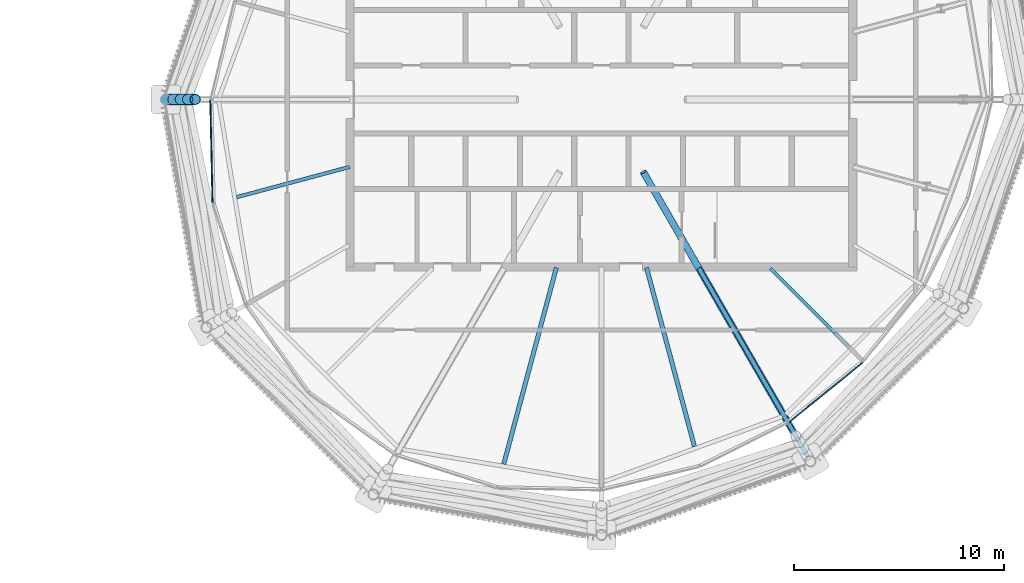
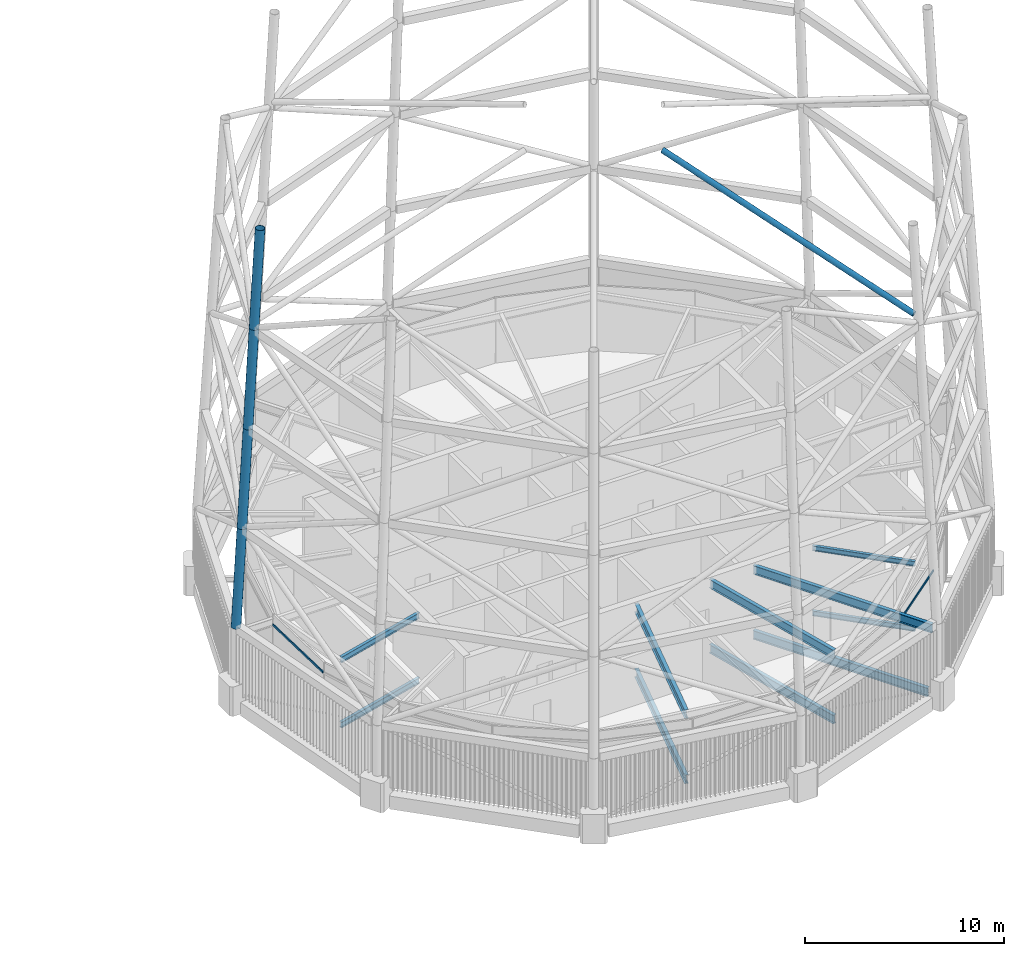
# One storey, part 44 of 71: 10 beams, 7 members, 1 element without a shape of its own.
"""IFC4 building model written with IfcOpenShell, lengths in metres."""

import ifcopenshell
import ifcopenshell.guid

model = None  # the IFC model being written
_history = None  # IfcOwnerHistory: only IFC2X3 demands one
_inside = {}  # id of a spatial element -> (the spatial element, [elements in it])
_under = {}  # id of a project, library or spatial element -> (it, [spatial elements below it])
_declared = {}  # id of a project -> (the project, [libraries it declares])
_typed = {}  # id of a type object -> (the type object, [elements of that type])
_made_of = {}  # id of a material, layer set ... -> (it, [elements and type objects made of it])


def new_model(schema):
    """Start an empty IFC model of exactly this schema.

    Asked for "IFC4X3", IfcOpenShell would pick the latest addendum, in which some entities
    have other attributes; the version numbers below select the first issue.
    IFC2X3 requires an IfcOwnerHistory on every rooted entity: one is made here for all.
    """
    global model, _history
    if schema == "IFC4X3":
        model = ifcopenshell.file(schema_version=(4, 3, 0, 0))
    else:
        model = ifcopenshell.file(schema=schema)
    _inside.clear()
    _under.clear()
    _declared.clear()
    _typed.clear()
    _made_of.clear()
    _history = None
    if model.schema == "IFC2X3":
        org = make("IfcOrganization", Name="unknown")
        user = make(
            "IfcPersonAndOrganization",
            ThePerson=make("IfcPerson", FamilyName="unknown"),
            TheOrganization=org,
        )
        app = make(
            "IfcApplication",
            ApplicationDeveloper=org,
            Version="unknown",
            ApplicationFullName="unknown",
            ApplicationIdentifier="unknown",
        )
        _history = make(
            "IfcOwnerHistory",
            OwningUser=user,
            OwningApplication=app,
            ChangeAction="ADDED",
            CreationDate=0,
        )
    return model


def make(cls, **values):
    """One entity of the class cls with the attributes given. An attribute that is None is left unset."""
    return model.create_entity(
        cls, **{name: value for name, value in values.items() if value is not None}
    )


def rooted(cls, **values):
    """An entity with a GlobalId (a new one), such as an element, a storey or a relation."""
    return make(cls, GlobalId=ifcopenshell.guid.new(), OwnerHistory=_history, **values)


def si_unit(unit_type, name, prefix=None):
    """IfcSIUnit, for example si_unit("LENGTHUNIT", "METRE", prefix="MILLI")."""
    return make("IfcSIUnit", UnitType=unit_type, Prefix=prefix, Name=name)


def assignment(units):
    """IfcUnitAssignment: the units of a project."""
    return None if units is None else make("IfcUnitAssignment", Units=units)


def point(xyz):
    """IfcCartesianPoint."""
    return None if xyz is None else make("IfcCartesianPoint", Coordinates=xyz)


def direction(xyz):
    """IfcDirection."""
    return None if xyz is None else make("IfcDirection", DirectionRatios=xyz)


def frame(location, z_axis=None, x_axis=None):
    """IfcAxis2Placement3D, a coordinate frame: its origin and axes. An axis left out is left unset."""
    return make(
        "IfcAxis2Placement3D",
        Location=point(location),
        Axis=direction(z_axis),
        RefDirection=direction(x_axis),
    )


def frame_2d(location, x_axis=None):
    """IfcAxis2Placement2D, a coordinate frame in the plane: its origin and x axis."""
    return make(
        "IfcAxis2Placement2D", Location=point(location), RefDirection=direction(x_axis)
    )


def origin():
    """The frame at (0, 0, 0) with its axes left unset."""
    return frame((0.0, 0.0, 0.0))


def origin_2d():
    """The frame at (0, 0) in the plane with its x axis left unset."""
    return frame_2d((0.0, 0.0))


def place(relative_to, where):
    """IfcLocalPlacement: puts the frame where relative to a parent placement (None: the world)."""
    return make(
        "IfcLocalPlacement", PlacementRelTo=relative_to, RelativePlacement=where
    )


def context(
    kind, dimensions, precision=None, world=None, true_north=None, identifier=None
):
    """IfcGeometricRepresentationContext, for example the 3D "Model" context."""
    return make(
        "IfcGeometricRepresentationContext",
        ContextIdentifier=identifier,
        ContextType=kind,
        CoordinateSpaceDimension=dimensions,
        Precision=precision,
        WorldCoordinateSystem=world,
        TrueNorth=true_north,
    )


def subcontext(parent, identifier, kind, view, scale=None):
    """IfcGeometricRepresentationSubContext, for example "Body" below "Model"."""
    return make(
        "IfcGeometricRepresentationSubContext",
        ContextIdentifier=identifier,
        ContextType=kind,
        ParentContext=parent,
        TargetScale=scale,
        TargetView=view,
    )


def project(units=None, contexts=None):
    """IfcProject with its units and contexts."""
    return rooted(
        "IfcProject",
        Name="project",
        RepresentationContexts=contexts,
        UnitsInContext=assignment(units),
    )


def spatial(cls, under=None, at=None, **own):
    """A site, building, storey or space (cls), placed at a placement, below another one or the project."""
    s = rooted(cls, ObjectPlacement=at, **own)
    if under is not None:
        _under.setdefault(under.id(), (under, []))[1].append(s)
    return s


def profile(cls, at=None, kind="AREA", **sizes):
    """A parametric profile (cls). Its sizes go by their IFC names, for example OverallWidth=200.0."""
    return make(cls, ProfileType=kind, Position=at, **sizes)


def rectangle(**sizes):
    """IfcRectangleProfileDef."""
    return profile("IfcRectangleProfileDef", **sizes)


def hollow_circle(**sizes):
    """IfcCircleHollowProfileDef."""
    return profile("IfcCircleHollowProfileDef", **sizes)


def i_section(**sizes):
    """IfcIShapeProfileDef."""
    return profile("IfcIShapeProfileDef", **sizes)


def extrude(swept, where, along, depth):
    """IfcExtrudedAreaSolid: the profile swept, set in the frame where, extruded along a direction by depth."""
    return make(
        "IfcExtrudedAreaSolid",
        SweptArea=swept,
        Position=where,
        ExtrudedDirection=direction(along),
        Depth=depth,
    )


def shape(context_of_items, identifier, shape_type, items):
    """IfcShapeRepresentation: the items that make up one representation, for example the "Body"."""
    return make(
        "IfcShapeRepresentation",
        ContextOfItems=context_of_items,
        RepresentationIdentifier=identifier,
        RepresentationType=shape_type,
        Items=items,
    )


def material(Name=None, Category=None):
    """IfcMaterial."""
    return make("IfcMaterial", Name=Name, Category=Category)


def material_profile(
    of_material, cross_section, Name=None, Category=None, Priority=None
):
    """IfcMaterialProfile: a cross section and its material."""
    return make(
        "IfcMaterialProfile",
        Name=Name,
        Material=of_material,
        Profile=cross_section,
        Priority=Priority,
        Category=Category,
    )


def profile_set(profiles, Name=None, composite=None):
    """IfcMaterialProfileSet."""
    return make(
        "IfcMaterialProfileSet",
        Name=Name,
        MaterialProfiles=profiles,
        CompositeProfile=composite,
    )


def made_of(thing, what):
    """Note that an element or type object is made of a material, layer set ...; save() writes the relation."""
    if what is not None:
        _made_of.setdefault(what.id(), (what, []))[1].append(thing)
    return thing


def type_object(cls, material=None, **own):
    """A type object (cls), such as IfcWallType, which elements share."""
    return made_of(rooted(cls, **own), material)


def element(
    cls,
    number,
    at=None,
    inside=None,
    cuts=None,
    type_object=None,
    material=None,
    context=None,
    identifier="Body",
    shape_type=None,
    held_by="IfcProductDefinitionShape",
    body=None,
    shapes=None,
    **own,
):
    """One element of the class cls, such as IfcWall. Its Tag is "e" and its number.

    at: its placement. inside: the storey or other place that contains it. cuts: it is an
    opening in that element (IfcRelVoidsElement). A single representation is given by context,
    identifier, shape_type and body (its items); several are given by shapes. held_by: the class
    of the entity that holds the representations. save() writes the other relations.
    """
    e = rooted(cls, Tag="e%d" % number, ObjectPlacement=at, **own)
    if body is not None:
        shapes = [shape(context, identifier, shape_type, body)]
    if shapes is not None:
        e.Representation = make(held_by, Representations=shapes)
    if inside is not None:
        _inside.setdefault(inside.id(), (inside, []))[1].append(e)
    if cuts is not None:
        rooted(
            "IfcRelVoidsElement", RelatingBuildingElement=cuts, RelatedOpeningElement=e
        )
    if type_object is not None:
        _typed.setdefault(type_object.id(), (type_object, []))[1].append(e)
    return made_of(e, material)


def aggregate(whole, parts):
    """IfcRelAggregates: a whole, such as a stair, and the parts it consists of."""
    return rooted("IfcRelAggregates", RelatingObject=whole, RelatedObjects=parts)


def save(model, path):
    """Write the relations noted so far, then the file.

    IfcRelAggregates (storeys below a building ...), IfcRelContainedInSpatialStructure (elements
    in a storey), IfcRelDefinesByType, IfcRelAssociatesMaterial and IfcRelDeclares: one each for
    every whole, place, type object, material and project.
    """
    for whole, parts in _under.values():
        aggregate(whole, parts)
    for where, things in _inside.values():
        rooted(
            "IfcRelContainedInSpatialStructure",
            RelatedElements=things,
            RelatingStructure=where,
        )
    for kind, things in _typed.values():
        rooted("IfcRelDefinesByType", RelatedObjects=things, RelatingType=kind)
    for what, things in _made_of.values():
        rooted("IfcRelAssociatesMaterial", RelatedObjects=things, RelatingMaterial=what)
    for by, libraries in _declared.values():
        rooted("IfcRelDeclares", RelatingContext=by, RelatedDefinitions=libraries)
    model.write(path)


model = new_model("IFC4")

# Units and contexts
model_context = context("Model", 3, precision=1e-05, world=origin(), true_north=direction((0.0, 1.0)))
body_context = subcontext(model_context, "Body", "Model", "MODEL_VIEW")
ifc_project = project(units=[si_unit("LENGTHUNIT", "METRE"), si_unit("AREAUNIT", "SQUARE_METRE"), si_unit("VOLUMEUNIT", "CUBIC_METRE"), si_unit("PLANEANGLEUNIT", "RADIAN"), si_unit("MASSUNIT", "GRAM", prefix="KILO")], contexts=[model_context])

# Site, building, storey
site_placement = place(None, origin())
site = spatial("IfcSite", under=ifc_project, at=site_placement, CompositionType="ELEMENT")
building_placement = place(site_placement, origin())
building = spatial("IfcBuilding", under=site, at=building_placement, Name="Rimbun Link Towers", CompositionType="ELEMENT")
storey_placement = place(building_placement, frame((0.0, 0.0, 267.60009765625)))
storey = spatial("IfcBuildingStorey", under=building, at=storey_placement, Name="L65", CompositionType="ELEMENT", Elevation=267.60009765625)

# Curtain wall, members
ifc_material_1 = material(Name="Aluminium 6063-T6 louvre wall", Category="aluminium")
curtain_wall_type = type_object("IfcCurtainWallType", Name="CW6 plant floor louvre wall", PredefinedType="NOTDEFINED", material=ifc_material_1)
curtain_wall_placement = place(storey_placement, origin())
curtain_wall = element("IfcCurtainWall", 1, at=curtain_wall_placement, inside=storey, type_object=curtain_wall_type, Name="CW6 L65 T2", PredefinedType="NOTDEFINED")
ifc_material_2 = material(Name="Aluminium 6063-T6", Category="aluminium")
ifc_material_profile_1 = material_profile(ifc_material_2, rectangle(XDim=0.06005859375, YDim=0.1201171875, at=origin_2d()), Name="TRANSOM 60X120")
ifc_profile_set_1 = profile_set([ifc_material_profile_1], Name="Aluminium 6063-T6")
member_type_1 = type_object("IfcMemberType", Name="CW6 transom 60X120", PredefinedType="USERDEFINED", material=ifc_profile_set_1)
member_1_placement = place(storey_placement, frame((13.18310546875, -4.912841796875, 3.39990234375), z_axis=(-0.021106908234, 0.999777224398, 0.0), x_axis=(-0.999777224398, -0.021106908234, 0.0)))
member_1 = element("IfcMember", 2, at=member_1_placement, type_object=member_type_1, Name="CW6 transom", ObjectType="TRANSOM", PredefinedType="USERDEFINED", context=body_context, shape_type="SweptSolid", body=[
    extrude(rectangle(XDim=0.06005859375, YDim=0.1201171875, at=origin_2d()), origin(), (0.0, 0.0, 1.0), 4.881103515625),
])
member_2_placement = place(storey_placement, frame((44.236083984375, -12.547607421875, 3.39990234375), z_axis=(-0.777261131095, -0.629178141776, 0.0), x_axis=(0.629178141776, -0.777261131095, 0.0)))
member_2 = element("IfcMember", 3, at=member_2_placement, type_object=member_type_1, Name="CW6 transom", ObjectType="TRANSOM", PredefinedType="USERDEFINED", context=body_context, shape_type="SweptSolid", body=[
    extrude(rectangle(XDim=0.06005859375, YDim=0.1201171875, at=origin_2d()), origin(), (0.0, 0.0, 1.0), 4.54541015625),
])
aggregate(curtain_wall, [member_1, member_2])

# Members
ifc_material_3 = material(Name="Steel S355J2H", Category="steel")
ifc_material_profile_2 = material_profile(ifc_material_3, hollow_circle(Radius=0.161865234375, WallThickness=0.011962890625, at=origin_2d()), Name="Crown frame brace CHS 324x12")
ifc_profile_set_2 = profile_set([ifc_material_profile_2], Name="Steel S355J2H")
member_type_2 = type_object("IfcMemberType", Name="Crown frame brace CHS 324x12", PredefinedType="BRACE", material=ifc_profile_set_2)
member_3_placement = place(storey_placement, frame((33.75, -3.464111328125, 27.39990234375), z_axis=(0.473598671188, -0.820297063954, -0.320650940304), x_axis=(0.866025430986, 0.499999952886, 0.0)))
element("IfcMember", 4, at=member_3_placement, inside=storey, type_object=member_type_2, Name="CROWN FRAME hub stay T2 08", PredefinedType="BRACE", context=body_context, shape_type="SweptSolid", body=[
    extrude(hollow_circle(Radius=0.161865234375, WallThickness=0.011962890625, at=origin_2d()), origin(), (0.0, 0.0, 1.0), 15.437255859375),
])
ifc_material_4 = material(Name="Steel S355J2H", Category="steel")
ifc_material_profile_3 = material_profile(ifc_material_4, hollow_circle(Radius=0.25390625, WallThickness=0.02001953125, at=origin_2d()), Name="Crown frame post CHS 508x20")
ifc_profile_set_3 = profile_set([ifc_material_profile_3], Name="Steel S355J2H")
member_type_3 = type_object("IfcMemberType", Name="Crown frame post CHS 508x20", PredefinedType="POST", material=ifc_profile_set_3)
for number, where, z_axis, x_axis, name in (
    (5, (10.95947265625, 0.0, 4.0), (0.058250531515, 0.0, 0.998301996181), (0.0, 1.0, 0.0), "CROWN FRAME post T2 2-04"),
    (6, (11.3095703125, 0.0, 10.0), (0.058210048192, 0.0, 0.998304357543), (0.0, 1.0, 0.0), "CROWN FRAME post T2 3-04"),
    (7, (11.659423828125, 0.0, 16.0), (0.058250531515, 0.0, 0.998301996181), (0.0, 1.0, 0.0), "CROWN FRAME post T2 4-04"),
    (8, (12.009521484375, 0.0, 22.0), (0.058250531515, 0.0, 0.998301996181), (0.0, 1.0, 0.0), "CROWN FRAME post T2 5-04"),
):
    element("IfcMember", number, at=place(storey_placement, frame(where, z_axis=z_axis, x_axis=x_axis)), inside=storey, type_object=member_type_3, Name=name, PredefinedType="POST", context=body_context, shape_type="SweptSolid", body=[
        extrude(hollow_circle(Radius=0.25390625, WallThickness=0.02001953125, at=origin_2d()), origin(), (0.0, 0.0, 1.0), 6.01025390625),
    ])

# Beams
ifc_material_5 = material(Name="Steel S355J2", Category="steel")
ifc_material_profile_4 = material_profile(ifc_material_5, i_section(OverallWidth=0.1650390625, OverallDepth=0.303466796875, WebThickness=0.006103515625, FlangeThickness=0.01025390625, at=origin_2d()), Name="UB 305x165x40")
ifc_profile_set_4 = profile_set([ifc_material_profile_4], Name="Steel S355J2")
beam_type_1 = type_object("IfcBeamType", Name="UB 305x165x40", PredefinedType="BEAM", material=ifc_profile_set_4)
for number, where, z_axis, x_axis, name in (
    (9, (39.80908203125, -8.05908203125, -0.351806640625), (0.707106781187, -0.707106781187, 0.0), (0.707106781187, 0.707106781187, 0.0), "Radial beam T2 L65 18"),
    (10, (39.80908203125, -8.05908203125, 3.648193359375), (0.707106781187, -0.707106781187, 0.0), (0.707106781187, 0.707106781187, 0.0), "Radial beam T2 L65 18"),
):
    element("IfcBeam", number, at=place(storey_placement, frame(where, z_axis=z_axis, x_axis=x_axis)), inside=storey, type_object=beam_type_1, Name=name, PredefinedType="BEAM", context=body_context, shape_type="SweptSolid", body=[
        extrude(i_section(OverallWidth=0.1650390625, OverallDepth=0.303466796875, WebThickness=0.006103515625, FlangeThickness=0.01025390625, at=origin_2d()), origin(), (0.0, 0.0, 1.0), 5.35546875),
    ])
ifc_material_6 = material(Name="Steel S355J2", Category="steel")
ifc_material_profile_5 = material_profile(ifc_material_6, i_section(OverallWidth=0.17138671875, OverallDepth=0.35498046875, WebThickness=0.00732421875, FlangeThickness=0.011474609375, at=origin_2d()), Name="UB 356x171x51")
ifc_profile_set_5 = profile_set([ifc_material_profile_5], Name="Steel S355J2")
beam_type_2 = type_object("IfcBeamType", Name="UB 356x171x51", PredefinedType="BEAM", material=ifc_profile_set_5)
for number, where, z_axis, x_axis, name in (
    (11, (19.726806640625, -3.2216796875, -0.377685546875), (-0.965934961398, -0.258784950006, 0.0), (0.258784950006, -0.965934961398, 0.0), "Radial beam T2 L65 10"),
    (12, (19.726806640625, -3.2216796875, 3.622314453125), (-0.965934961398, -0.258784950006, 0.0), (0.258784950006, -0.965934961398, 0.0), "Radial beam T2 L65 10"),
):
    element("IfcBeam", number, at=place(storey_placement, frame(where, z_axis=z_axis, x_axis=x_axis)), inside=storey, type_object=beam_type_2, Name=name, PredefinedType="BEAM", context=body_context, shape_type="SweptSolid", body=[
        extrude(i_section(OverallWidth=0.17138671875, OverallDepth=0.35498046875, WebThickness=0.00732421875, FlangeThickness=0.011474609375, at=origin_2d()), origin(), (0.0, 0.0, 1.0), 5.577392578125),
    ])
ifc_material_7 = material(Name="Steel S355J2", Category="steel")
ifc_material_profile_6 = material_profile(ifc_material_7, i_section(OverallWidth=0.209228515625, OverallDepth=0.533203125, WebThickness=0.010009765625, FlangeThickness=0.015625, at=origin_2d()), Name="UB 533x210x92")
ifc_profile_set_6 = profile_set([ifc_material_profile_6], Name="Steel S355J2")
beam_type_3 = type_object("IfcBeamType", Name="UB 533x210x92", PredefinedType="BEAM", material=ifc_profile_set_6)
beam_1_placement = place(storey_placement, frame((29.598876953125, -8.028076171875, -0.466552734375), z_axis=(-0.258806020362, -0.965929316164, 0.0), x_axis=(0.965929316164, -0.258806020362, 0.0)))
element("IfcBeam", 13, at=beam_1_placement, inside=storey, type_object=beam_type_3, Name="Radial beam T2 L65 14", PredefinedType="BEAM", context=body_context, shape_type="SweptSolid", body=[
    extrude(i_section(OverallWidth=0.209228515625, OverallDepth=0.533203125, WebThickness=0.010009765625, FlangeThickness=0.015625, at=origin_2d()), origin(), (0.0, 0.0, 1.0), 9.713623046875),
])
beam_2_placement = place(storey_placement, frame((33.901123046875, -8.028076171875, -0.466552734375), z_axis=(0.258829985177, -0.965922894838, 0.0), x_axis=(0.965922894838, 0.258829985177, 0.0)))
element("IfcBeam", 14, at=beam_2_placement, inside=storey, type_object=beam_type_3, Name="Radial beam T2 L65 16", PredefinedType="BEAM", context=body_context, shape_type="SweptSolid", body=[
    extrude(i_section(OverallWidth=0.209228515625, OverallDepth=0.533203125, WebThickness=0.010009765625, FlangeThickness=0.015625, at=origin_2d()), origin(), (0.0, 0.0, 1.0), 8.83740234375),
])
beam_3_placement = place(storey_placement, frame((36.3994140625, -8.05322265625, -0.466552734375), z_axis=(0.499997372806, -0.86602692059, 0.0), x_axis=(0.86602692059, 0.499997372806, 0.0)))
element("IfcBeam", 15, at=beam_3_placement, inside=storey, type_object=beam_type_3, Name="Radial beam T2 L65 17", PredefinedType="BEAM", context=body_context, shape_type="SweptSolid", body=[
    extrude(i_section(OverallWidth=0.209228515625, OverallDepth=0.533203125, WebThickness=0.010009765625, FlangeThickness=0.015625, at=origin_2d()), origin(), (0.0, 0.0, 1.0), 10.14697265625),
])
beam_4_placement = place(storey_placement, frame((29.598876953125, -8.028076171875, 3.533447265625), z_axis=(-0.258806020362, -0.965929316164, 0.0), x_axis=(0.965929316164, -0.258806020362, 0.0)))
element("IfcBeam", 16, at=beam_4_placement, inside=storey, type_object=beam_type_3, Name="Radial beam T2 L65 14", PredefinedType="BEAM", context=body_context, shape_type="SweptSolid", body=[
    extrude(i_section(OverallWidth=0.209228515625, OverallDepth=0.533203125, WebThickness=0.010009765625, FlangeThickness=0.015625, at=origin_2d()), origin(), (0.0, 0.0, 1.0), 9.713623046875),
])
beam_5_placement = place(storey_placement, frame((33.901123046875, -8.028076171875, 3.533447265625), z_axis=(0.258829985177, -0.965922894838, 0.0), x_axis=(0.965922894838, 0.258829985177, 0.0)))
element("IfcBeam", 17, at=beam_5_placement, inside=storey, type_object=beam_type_3, Name="Radial beam T2 L65 16", PredefinedType="BEAM", context=body_context, shape_type="SweptSolid", body=[
    extrude(i_section(OverallWidth=0.209228515625, OverallDepth=0.533203125, WebThickness=0.010009765625, FlangeThickness=0.015625, at=origin_2d()), origin(), (0.0, 0.0, 1.0), 8.83740234375),
])
beam_6_placement = place(storey_placement, frame((36.3994140625, -8.05322265625, 3.533447265625), z_axis=(0.500009331193, -0.86602001635, 0.0), x_axis=(0.86602001635, 0.500009331193, 0.0)))
element("IfcBeam", 18, at=beam_6_placement, inside=storey, type_object=beam_type_3, Name="Radial beam T2 L65 17", PredefinedType="BEAM", context=body_context, shape_type="SweptSolid", body=[
    extrude(i_section(OverallWidth=0.209228515625, OverallDepth=0.533203125, WebThickness=0.010009765625, FlangeThickness=0.015625, at=origin_2d()), origin(), (0.0, 0.0, 1.0), 10.386962890625),
])

save(model, "model.ifc")
